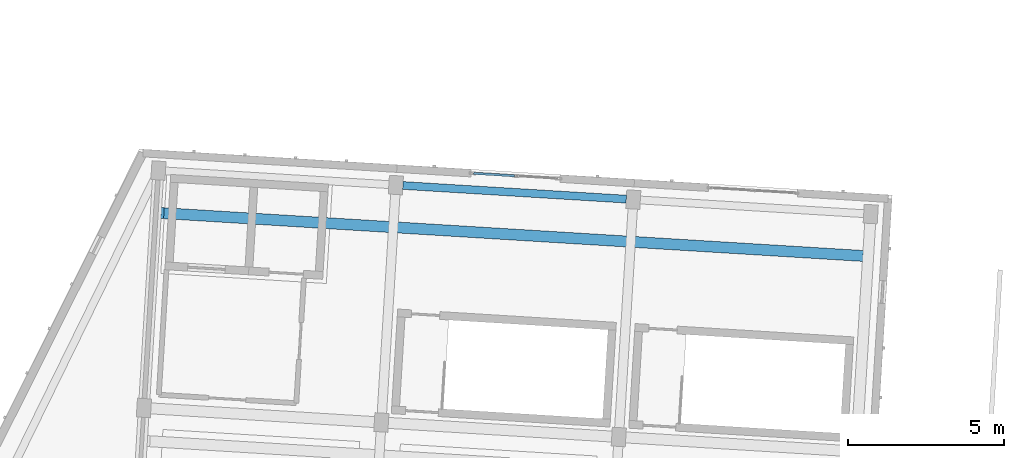
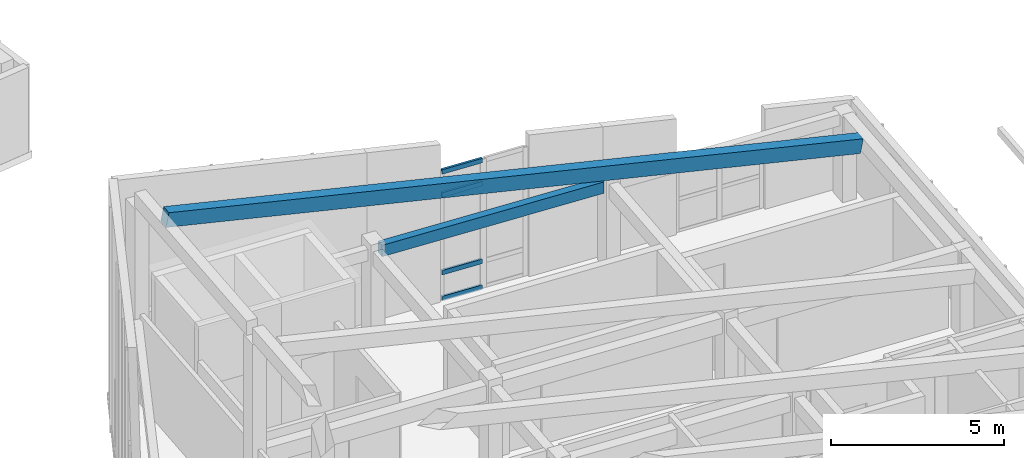
# One storey, part 8 of 45: 4 members, 2 beams, 1 element without a shape of its own.
"""IFC4 building model written with IfcOpenShell, lengths in metres."""

import ifcopenshell
import ifcopenshell.guid

model = None  # the IFC model being written
_history = None  # IfcOwnerHistory: only IFC2X3 demands one
_inside = {}  # id of a spatial element -> (the spatial element, [elements in it])
_under = {}  # id of a project, library or spatial element -> (it, [spatial elements below it])
_declared = {}  # id of a project -> (the project, [libraries it declares])
_typed = {}  # id of a type object -> (the type object, [elements of that type])
_made_of = {}  # id of a material, layer set ... -> (it, [elements and type objects made of it])


def new_model(schema):
    """Start an empty IFC model of exactly this schema.

    Asked for "IFC4X3", IfcOpenShell would pick the latest addendum, in which some entities
    have other attributes; the version numbers below select the first issue.
    IFC2X3 requires an IfcOwnerHistory on every rooted entity: one is made here for all.
    """
    global model, _history
    if schema == "IFC4X3":
        model = ifcopenshell.file(schema_version=(4, 3, 0, 0))
    else:
        model = ifcopenshell.file(schema=schema)
    _inside.clear()
    _under.clear()
    _declared.clear()
    _typed.clear()
    _made_of.clear()
    _history = None
    if model.schema == "IFC2X3":
        org = make("IfcOrganization", Name="unknown")
        user = make(
            "IfcPersonAndOrganization",
            ThePerson=make("IfcPerson", FamilyName="unknown"),
            TheOrganization=org,
        )
        app = make(
            "IfcApplication",
            ApplicationDeveloper=org,
            Version="unknown",
            ApplicationFullName="unknown",
            ApplicationIdentifier="unknown",
        )
        _history = make(
            "IfcOwnerHistory",
            OwningUser=user,
            OwningApplication=app,
            ChangeAction="ADDED",
            CreationDate=0,
        )
    return model


def make(cls, **values):
    """One entity of the class cls with the attributes given. An attribute that is None is left unset."""
    return model.create_entity(
        cls, **{name: value for name, value in values.items() if value is not None}
    )


def rooted(cls, **values):
    """An entity with a GlobalId (a new one), such as an element, a storey or a relation."""
    return make(cls, GlobalId=ifcopenshell.guid.new(), OwnerHistory=_history, **values)


def si_unit(unit_type, name, prefix=None):
    """IfcSIUnit, for example si_unit("LENGTHUNIT", "METRE", prefix="MILLI")."""
    return make("IfcSIUnit", UnitType=unit_type, Prefix=prefix, Name=name)


def assignment(units):
    """IfcUnitAssignment: the units of a project."""
    return None if units is None else make("IfcUnitAssignment", Units=units)


def point(xyz):
    """IfcCartesianPoint."""
    return None if xyz is None else make("IfcCartesianPoint", Coordinates=xyz)


def direction(xyz):
    """IfcDirection."""
    return None if xyz is None else make("IfcDirection", DirectionRatios=xyz)


def frame(location, z_axis=None, x_axis=None):
    """IfcAxis2Placement3D, a coordinate frame: its origin and axes. An axis left out is left unset."""
    return make(
        "IfcAxis2Placement3D",
        Location=point(location),
        Axis=direction(z_axis),
        RefDirection=direction(x_axis),
    )


def frame_2d(location, x_axis=None):
    """IfcAxis2Placement2D, a coordinate frame in the plane: its origin and x axis."""
    return make(
        "IfcAxis2Placement2D", Location=point(location), RefDirection=direction(x_axis)
    )


def origin():
    """The frame at (0, 0, 0) with its axes left unset."""
    return frame((0.0, 0.0, 0.0))


def origin_2d():
    """The frame at (0, 0) in the plane with its x axis left unset."""
    return frame_2d((0.0, 0.0))


def place(relative_to, where):
    """IfcLocalPlacement: puts the frame where relative to a parent placement (None: the world)."""
    return make(
        "IfcLocalPlacement", PlacementRelTo=relative_to, RelativePlacement=where
    )


def context(
    kind, dimensions, precision=None, world=None, true_north=None, identifier=None
):
    """IfcGeometricRepresentationContext, for example the 3D "Model" context."""
    return make(
        "IfcGeometricRepresentationContext",
        ContextIdentifier=identifier,
        ContextType=kind,
        CoordinateSpaceDimension=dimensions,
        Precision=precision,
        WorldCoordinateSystem=world,
        TrueNorth=true_north,
    )


def subcontext(parent, identifier, kind, view, scale=None):
    """IfcGeometricRepresentationSubContext, for example "Body" below "Model"."""
    return make(
        "IfcGeometricRepresentationSubContext",
        ContextIdentifier=identifier,
        ContextType=kind,
        ParentContext=parent,
        TargetScale=scale,
        TargetView=view,
    )


def project(units=None, contexts=None):
    """IfcProject with its units and contexts."""
    return rooted(
        "IfcProject",
        Name="project",
        RepresentationContexts=contexts,
        UnitsInContext=assignment(units),
    )


def spatial(cls, under=None, at=None, **own):
    """A site, building, storey or space (cls), placed at a placement, below another one or the project."""
    s = rooted(cls, ObjectPlacement=at, **own)
    if under is not None:
        _under.setdefault(under.id(), (under, []))[1].append(s)
    return s


def profile(cls, at=None, kind="AREA", **sizes):
    """A parametric profile (cls). Its sizes go by their IFC names, for example OverallWidth=200.0."""
    return make(cls, ProfileType=kind, Position=at, **sizes)


def rectangle(**sizes):
    """IfcRectangleProfileDef."""
    return profile("IfcRectangleProfileDef", **sizes)


def hollow_rectangle(**sizes):
    """IfcRectangleHollowProfileDef."""
    return profile("IfcRectangleHollowProfileDef", **sizes)


def extrude(swept, where, along, depth):
    """IfcExtrudedAreaSolid: the profile swept, set in the frame where, extruded along a direction by depth."""
    return make(
        "IfcExtrudedAreaSolid",
        SweptArea=swept,
        Position=where,
        ExtrudedDirection=direction(along),
        Depth=depth,
    )


def shape(context_of_items, identifier, shape_type, items):
    """IfcShapeRepresentation: the items that make up one representation, for example the "Body"."""
    return make(
        "IfcShapeRepresentation",
        ContextOfItems=context_of_items,
        RepresentationIdentifier=identifier,
        RepresentationType=shape_type,
        Items=items,
    )


def material(Name=None, Category=None):
    """IfcMaterial."""
    return make("IfcMaterial", Name=Name, Category=Category)


def material_profile(
    of_material, cross_section, Name=None, Category=None, Priority=None
):
    """IfcMaterialProfile: a cross section and its material."""
    return make(
        "IfcMaterialProfile",
        Name=Name,
        Material=of_material,
        Profile=cross_section,
        Priority=Priority,
        Category=Category,
    )


def profile_set(profiles, Name=None, composite=None):
    """IfcMaterialProfileSet."""
    return make(
        "IfcMaterialProfileSet",
        Name=Name,
        MaterialProfiles=profiles,
        CompositeProfile=composite,
    )


def made_of(thing, what):
    """Note that an element or type object is made of a material, layer set ...; save() writes the relation."""
    if what is not None:
        _made_of.setdefault(what.id(), (what, []))[1].append(thing)
    return thing


def type_object(cls, material=None, **own):
    """A type object (cls), such as IfcWallType, which elements share."""
    return made_of(rooted(cls, **own), material)


def element(
    cls,
    number,
    at=None,
    inside=None,
    cuts=None,
    type_object=None,
    material=None,
    context=None,
    identifier="Body",
    shape_type=None,
    held_by="IfcProductDefinitionShape",
    body=None,
    shapes=None,
    **own,
):
    """One element of the class cls, such as IfcWall. Its Tag is "e" and its number.

    at: its placement. inside: the storey or other place that contains it. cuts: it is an
    opening in that element (IfcRelVoidsElement). A single representation is given by context,
    identifier, shape_type and body (its items); several are given by shapes. held_by: the class
    of the entity that holds the representations. save() writes the other relations.
    """
    e = rooted(cls, Tag="e%d" % number, ObjectPlacement=at, **own)
    if body is not None:
        shapes = [shape(context, identifier, shape_type, body)]
    if shapes is not None:
        e.Representation = make(held_by, Representations=shapes)
    if inside is not None:
        _inside.setdefault(inside.id(), (inside, []))[1].append(e)
    if cuts is not None:
        rooted(
            "IfcRelVoidsElement", RelatingBuildingElement=cuts, RelatedOpeningElement=e
        )
    if type_object is not None:
        _typed.setdefault(type_object.id(), (type_object, []))[1].append(e)
    return made_of(e, material)


def aggregate(whole, parts):
    """IfcRelAggregates: a whole, such as a stair, and the parts it consists of."""
    return rooted("IfcRelAggregates", RelatingObject=whole, RelatedObjects=parts)


def save(model, path):
    """Write the relations noted so far, then the file.

    IfcRelAggregates (storeys below a building ...), IfcRelContainedInSpatialStructure (elements
    in a storey), IfcRelDefinesByType, IfcRelAssociatesMaterial and IfcRelDeclares: one each for
    every whole, place, type object, material and project.
    """
    for whole, parts in _under.values():
        aggregate(whole, parts)
    for where, things in _inside.values():
        rooted(
            "IfcRelContainedInSpatialStructure",
            RelatedElements=things,
            RelatingStructure=where,
        )
    for kind, things in _typed.values():
        rooted("IfcRelDefinesByType", RelatedObjects=things, RelatingType=kind)
    for what, things in _made_of.values():
        rooted("IfcRelAssociatesMaterial", RelatedObjects=things, RelatingMaterial=what)
    for by, libraries in _declared.values():
        rooted("IfcRelDeclares", RelatingContext=by, RelatedDefinitions=libraries)
    model.write(path)


model = new_model("IFC4")

# Units and contexts
model_context = context("Model", 3, precision=1e-05, world=origin(), true_north=direction((0.0, 1.0)))
body_context = subcontext(model_context, "Body", "Model", "MODEL_VIEW")
ifc_project = project(units=[si_unit("LENGTHUNIT", "METRE"), si_unit("AREAUNIT", "SQUARE_METRE"), si_unit("VOLUMEUNIT", "CUBIC_METRE"), si_unit("PLANEANGLEUNIT", "RADIAN"), si_unit("MASSUNIT", "GRAM", prefix="KILO")], contexts=[model_context])

# Site, building, storey
site_placement = place(None, origin())
site = spatial("IfcSite", under=ifc_project, at=site_placement, CompositionType="ELEMENT")
building_placement = place(site_placement, origin())
building = spatial("IfcBuilding", under=site, at=building_placement, Name="Kestramere Prow Commons", CompositionType="ELEMENT")
storey_placement = place(building_placement, frame((0.0, 0.0, 31.14990234375)))
storey = spatial("IfcBuildingStorey", under=building, at=storey_placement, Name="L09", CompositionType="ELEMENT", Elevation=31.14990234375)

# Curtain wall, members
ifc_material_1 = material(Name="Anodised Aluminium and Low-E Glass", Category="aluminium")
curtain_wall_type = type_object("IfcCurtainWallType", Name="CW-08 Glazed Curtain Wall 2830x4540", PredefinedType="USERDEFINED", material=ifc_material_1)
curtain_wall_placement = place(storey_placement, origin())
curtain_wall = element("IfcCurtainWall", 1, at=curtain_wall_placement, inside=storey, type_object=curtain_wall_type, Name="Block C L09 Stairwell Vertical Glazing 2", ObjectType="GLAZED CURTAIN WALL", PredefinedType="USERDEFINED")
ifc_material_2 = material(Name="Anodised Aluminium 6063-T6", Category="aluminium")
ifc_material_profile_1 = material_profile(ifc_material_2, hollow_rectangle(XDim=0.074951171875, YDim=0.159912109375, WallThickness=0.0048828125, at=origin_2d()), Name="ALU-TRN 75x160")
ifc_profile_set_1 = profile_set([ifc_material_profile_1], Name="Anodised Aluminium 6063-T6")
member_type = type_object("IfcMemberType", Name="CW-TRN-75x160", PredefinedType="USERDEFINED", material=ifc_profile_set_1)
member_1_placement = place(storey_placement, frame((70.769775390625, 65.973388671875, 0.03759765625), z_axis=(0.998131266889, -0.061106252208, 0.0), x_axis=(0.061106252208, 0.998131266889, 0.0)))
member_1 = element("IfcMember", 2, at=member_1_placement, type_object=member_type, Name="CW-08 transom 1.1", ObjectType="TRANSOM", PredefinedType="USERDEFINED", context=body_context, shape_type="SweptSolid", body=[
    extrude(hollow_rectangle(XDim=0.074951171875, YDim=0.159912109375, WallThickness=0.0048828125, at=origin_2d()), origin(), (0.0, 0.0, 1.0), 1.302490234375),
])
member_2_placement = place(storey_placement, frame((70.769775390625, 65.973388671875, 0.9501953125), z_axis=(0.998131266889, -0.061106252208, 0.0), x_axis=(0.061106252208, 0.998131266889, 0.0)))
member_2 = element("IfcMember", 3, at=member_2_placement, type_object=member_type, Name="CW-08 transom 1.2", ObjectType="TRANSOM", PredefinedType="USERDEFINED", context=body_context, shape_type="SweptSolid", body=[
    extrude(hollow_rectangle(XDim=0.074951171875, YDim=0.159912109375, WallThickness=0.0048828125, at=origin_2d()), origin(), (0.0, 0.0, 1.0), 1.302490234375),
])
member_3_placement = place(storey_placement, frame((70.769775390625, 65.973388671875, 3.68505859375), z_axis=(0.998131266889, -0.061106252208, 0.0), x_axis=(0.061106252208, 0.998131266889, 0.0)))
member_3 = element("IfcMember", 4, at=member_3_placement, type_object=member_type, Name="CW-08 transom 1.3", ObjectType="TRANSOM", PredefinedType="USERDEFINED", context=body_context, shape_type="SweptSolid", body=[
    extrude(hollow_rectangle(XDim=0.074951171875, YDim=0.159912109375, WallThickness=0.0048828125, at=origin_2d()), origin(), (0.0, 0.0, 1.0), 1.302490234375),
])
member_4_placement = place(storey_placement, frame((70.769775390625, 65.973388671875, 4.498046875), z_axis=(0.998131266889, -0.061106252208, 0.0), x_axis=(0.061106252208, 0.998131266889, 0.0)))
member_4 = element("IfcMember", 5, at=member_4_placement, type_object=member_type, Name="CW-08 transom 1.4", ObjectType="TRANSOM", PredefinedType="USERDEFINED", context=body_context, shape_type="SweptSolid", body=[
    extrude(hollow_rectangle(XDim=0.074951171875, YDim=0.159912109375, WallThickness=0.0048828125, at=origin_2d()), origin(), (0.0, 0.0, 1.0), 1.302490234375),
])
aggregate(curtain_wall, [member_1, member_2, member_3, member_4])

# Beams
ifc_material_3 = material(Name="Precast concrete C40/50", Category="concrete")
ifc_material_profile_2 = material_profile(ifc_material_3, rectangle(XDim=0.35009765625, YDim=0.5, at=origin_2d()), Name="PC-RB 350x500")
ifc_profile_set_2 = profile_set([ifc_material_profile_2], Name="Precast concrete C40/50")
beam_type_1 = type_object("IfcBeamType", Name="RB-PR-02 PC-RB 350x500", PredefinedType="BEAM", material=ifc_profile_set_2)
beam_1_placement = place(storey_placement, frame((60.82373046875, 64.703125, 7.145263671875), z_axis=(0.979494275157, -0.059905680603, -0.192359752457), x_axis=(0.061045741869, 0.998134969531, 0.0)))
element("IfcBeam", 6, at=beam_1_placement, inside=storey, type_object=beam_type_1, Name="Block C Upper Prow Raking Rafter 4", PredefinedType="BEAM", context=body_context, shape_type="SweptSolid", body=[
    extrude(rectangle(XDim=0.35009765625, YDim=0.5, at=origin_2d()), origin(), (0.0, 0.0, 1.0), 22.80615234375),
])
ifc_material_profile_3 = material_profile(ifc_material_3, rectangle(XDim=0.25, YDim=0.39990234375, at=origin_2d()), Name="PC-SP 250x400")
ifc_profile_set_3 = profile_set([ifc_material_profile_3], Name="Precast concrete C40/50")
beam_type_2 = type_object("IfcBeamType", Name="SP-EXT-01 PC-SP 250x400", PredefinedType="SPANDREL", material=ifc_profile_set_3)
beam_2_placement = place(storey_placement, frame((68.5068359375, 65.585693359375, 2.800048828125), z_axis=(0.998134602239, -0.061051747017, 0.0), x_axis=(0.061051747017, 0.998134602239, 0.0)))
element("IfcBeam", 7, at=beam_2_placement, inside=storey, type_object=beam_type_2, Name="Block C L09 Longitudinal Beam 4-2", PredefinedType="SPANDREL", context=body_context, shape_type="SweptSolid", body=[
    extrude(rectangle(XDim=0.25, YDim=0.39990234375, at=origin_2d()), origin(), (0.0, 0.0, 1.0), 7.150146484375),
])

save(model, "model.ifc")
